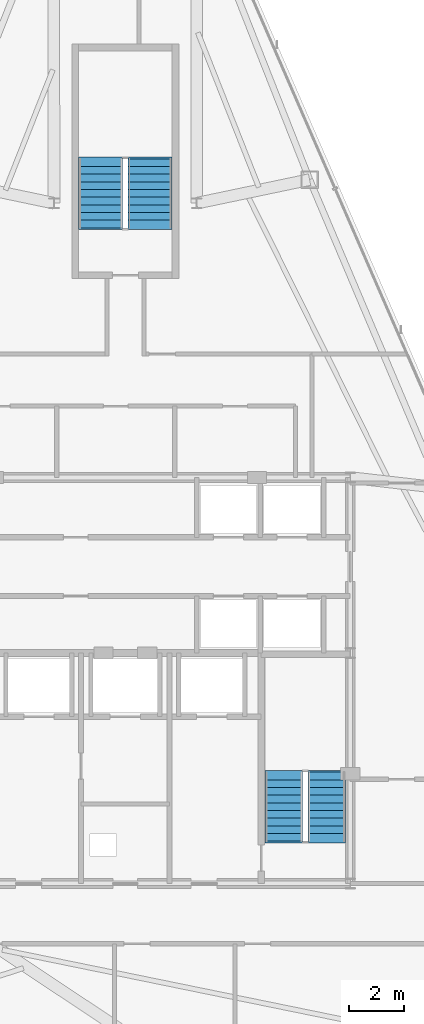
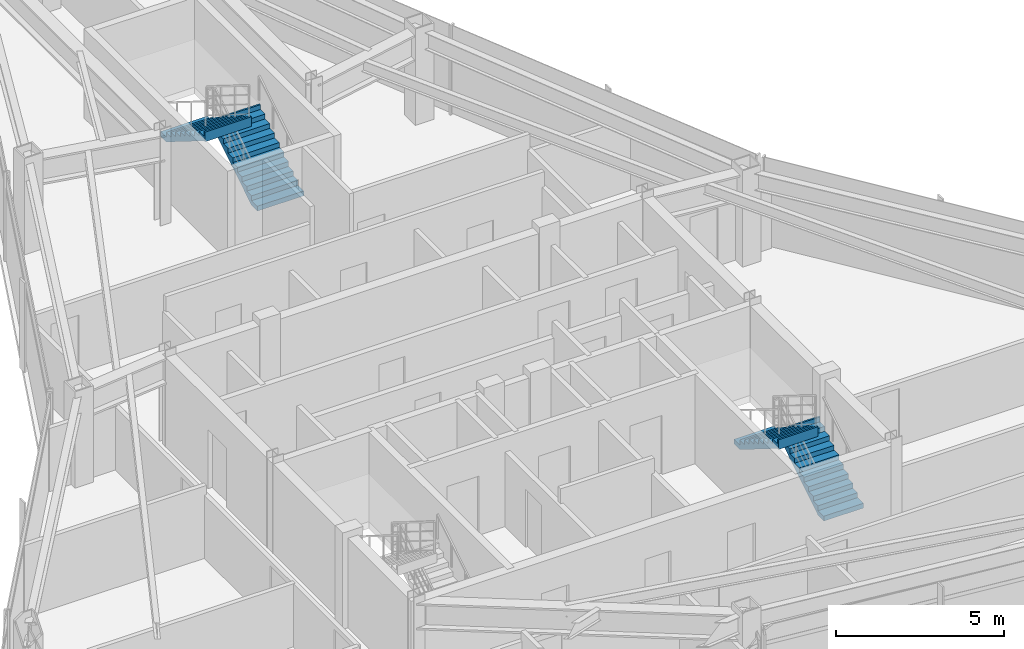
# One storey, part 11 of 12: 4 stair flights, 2 elements without a shape of their own.
"""IFC4 building model written with IfcOpenShell, lengths in metres."""

from ifc_helpers import new_model, si_unit, direction, frame, origin, place, context, subcontext, project, spatial, polyline, outline, extrude, material, type_object, element, aggregate, save


model = new_model("IFC4")

# Units and contexts
model_context = context("Model", 3, precision=1e-05, world=origin(), true_north=direction((0.0, 1.0)))
body_context = subcontext(model_context, "Body", "Model", "MODEL_VIEW")
ifc_project = project(units=[si_unit("LENGTHUNIT", "METRE"), si_unit("AREAUNIT", "SQUARE_METRE"), si_unit("VOLUMEUNIT", "CUBIC_METRE"), si_unit("PLANEANGLEUNIT", "RADIAN"), si_unit("MASSUNIT", "GRAM", prefix="KILO")], contexts=[model_context])

# Site, building, storey
site_placement = place(None, origin())
site = spatial("IfcSite", under=ifc_project, at=site_placement, CompositionType="ELEMENT")
building_placement = place(site_placement, origin())
building = spatial("IfcBuilding", under=site, at=building_placement, Name="Varakhsha Concourse Tower", CompositionType="ELEMENT")
storey_placement = place(building_placement, frame((0.0, 0.0, 276.0)))
storey = spatial("IfcBuildingStorey", under=building, at=storey_placement, Name="L78", CompositionType="ELEMENT", Elevation=276.0)

# Stair, stair flights
ifc_material = material(Name="Concrete fc 45 MPa", Category="concrete")
stair_type_1 = type_object("IfcStairType", Name="ST-DOGLEG-1360", PredefinedType="HALF_TURN_STAIR", material=ifc_material)
stair_1_placement = place(storey_placement, origin())
stair_1 = element("IfcStair", 1, at=stair_1_placement, inside=storey, type_object=stair_type_1, Name="L78 Protected Exit Stair ST2", PredefinedType="HALF_TURN_STAIR")
stair_flight_type_1 = type_object("IfcStairFlightType", Name="STF-1360-R1750", PredefinedType="STRAIGHT", material=ifc_material)
stair_flight_1_placement = place(storey_placement, frame((47.340087890625, 17.93994140625, 0.0), z_axis=(0.0, 0.0, 1.0), x_axis=(0.0, 1.0, 0.0)))
stair_flight_1 = element("IfcStairFlight", 2, at=stair_flight_1_placement, type_object=stair_flight_type_1, Name="ST2 flight 1", NumberOfRisers=10, NumberOfTreads=9, PredefinedType="STRAIGHT", RiserHeight=0.175, TreadLength=0.28, context=body_context, shape_type="SweptSolid", body=[
    extrude(outline(polyline([(-0.06005859375, 0.0), (-0.06005859375, 0.175048828125), (0.0, 0.175048828125), (0.280029296875, 0.175048828125), (0.280029296875, 0.35009765625), (0.56005859375, 0.35009765625), (0.56005859375, 0.52490234375), (0.840087890625, 0.52490234375), (0.840087890625, 0.699951171875), (1.1201171875, 0.699951171875), (1.1201171875, 0.875), (1.39990234375, 0.875), (1.39990234375, 1.050048828125), (1.679931640625, 1.050048828125), (1.679931640625, 1.22509765625), (1.9599609375, 1.22509765625), (1.9599609375, 1.39990234375), (2.239990234375, 1.39990234375), (2.239990234375, 1.574951171875), (2.52001953125, 1.574951171875), (2.52001953125, 1.75), (2.580078125, 1.75), (2.580078125, 1.398193359375), (2.52001953125, 1.398193359375), (0.28271484375, 0.0), (-0.06005859375, 0.0)])), frame((0.0, 0.68017578125, 0.0), z_axis=(0.0, -1.0, 0.0), x_axis=(1.0, 0.0, 0.0)), (0.0, 0.0, 1.0), 1.360107421875),
])
stair_flight_2_placement = place(storey_placement, frame((45.780029296875, 20.4599609375, 1.75), z_axis=(0.0, 0.0, 1.0), x_axis=(0.0, -1.0, 0.0)))
stair_flight_2 = element("IfcStairFlight", 3, at=stair_flight_2_placement, type_object=stair_flight_type_1, Name="ST2 flight 2", NumberOfRisers=10, NumberOfTreads=9, PredefinedType="STRAIGHT", RiserHeight=0.175, TreadLength=0.28, context=body_context, shape_type="SweptSolid", body=[
    extrude(outline(polyline([(-0.06005859375, 0.0), (-0.06005859375, 0.175048828125), (0.0, 0.175048828125), (0.280029296875, 0.175048828125), (0.280029296875, 0.35009765625), (0.56005859375, 0.35009765625), (0.56005859375, 0.52490234375), (0.840087890625, 0.52490234375), (0.840087890625, 0.699951171875), (1.1201171875, 0.699951171875), (1.1201171875, 0.875), (1.39990234375, 0.875), (1.39990234375, 1.050048828125), (1.679931640625, 1.050048828125), (1.679931640625, 1.22509765625), (1.9599609375, 1.22509765625), (1.9599609375, 1.39990234375), (2.239990234375, 1.39990234375), (2.239990234375, 1.574951171875), (2.52001953125, 1.574951171875), (2.52001953125, 1.75), (2.580078125, 1.75), (2.580078125, 1.398193359375), (2.52001953125, 1.398193359375), (0.28271484375, 0.0), (-0.06005859375, 0.0)])), frame((0.0, 0.68017578125, 0.0), z_axis=(0.0, -1.0, 0.0), x_axis=(1.0, 0.0, 0.0)), (0.0, 0.0, 1.0), 1.360107421875),
])
aggregate(stair_1, [stair_flight_1, stair_flight_2])

stair_type_2 = type_object("IfcStairType", Name="ST-DOGLEG-1600", PredefinedType="HALF_TURN_STAIR", material=ifc_material)
stair_2_placement = place(storey_placement, origin())
stair_2 = element("IfcStair", 4, at=stair_2_placement, inside=storey, type_object=stair_type_2, Name="L78 Protected Exit Stair ST5", PredefinedType="HALF_TURN_STAIR")
stair_flight_type_2 = type_object("IfcStairFlightType", Name="STF-1600-R1750", PredefinedType="STRAIGHT", material=ifc_material)
stair_flight_3_placement = place(storey_placement, frame((40.89990234375, 40.300048828125, 0.0), z_axis=(0.0, 0.0, 1.0), x_axis=(0.0, 1.0, 0.0)))
stair_flight_3 = element("IfcStairFlight", 5, at=stair_flight_3_placement, type_object=stair_flight_type_2, Name="ST5 flight 1", NumberOfRisers=10, NumberOfTreads=9, PredefinedType="STRAIGHT", RiserHeight=0.175, TreadLength=0.28, context=body_context, shape_type="SweptSolid", body=[
    extrude(outline(polyline([(-0.06005859375, 0.0), (-0.06005859375, 0.175048828125), (0.0, 0.175048828125), (0.280029296875, 0.175048828125), (0.280029296875, 0.35009765625), (0.56005859375, 0.35009765625), (0.56005859375, 0.52490234375), (0.840087890625, 0.52490234375), (0.840087890625, 0.699951171875), (1.1201171875, 0.699951171875), (1.1201171875, 0.875), (1.39990234375, 0.875), (1.39990234375, 1.050048828125), (1.679931640625, 1.050048828125), (1.679931640625, 1.22509765625), (1.9599609375, 1.22509765625), (1.9599609375, 1.39990234375), (2.239990234375, 1.39990234375), (2.239990234375, 1.574951171875), (2.52001953125, 1.574951171875), (2.52001953125, 1.75), (2.580078125, 1.75), (2.580078125, 1.398193359375), (2.52001953125, 1.398193359375), (0.28271484375, 0.0), (-0.06005859375, 0.0)])), frame((0.0, 0.800048828125, 0.0), z_axis=(0.0, -1.0, 0.0), x_axis=(1.0, 0.0, 0.0)), (0.0, 0.0, 1.0), 1.60009765625),
])
stair_flight_4_placement = place(storey_placement, frame((39.10009765625, 42.820068359375, 1.75), z_axis=(0.0, 0.0, 1.0), x_axis=(0.0, -1.0, 0.0)))
stair_flight_4 = element("IfcStairFlight", 6, at=stair_flight_4_placement, type_object=stair_flight_type_2, Name="ST5 flight 2", NumberOfRisers=10, NumberOfTreads=9, PredefinedType="STRAIGHT", RiserHeight=0.175, TreadLength=0.28, context=body_context, shape_type="SweptSolid", body=[
    extrude(outline(polyline([(-0.06005859375, 0.0), (-0.06005859375, 0.175048828125), (0.0, 0.175048828125), (0.280029296875, 0.175048828125), (0.280029296875, 0.35009765625), (0.56005859375, 0.35009765625), (0.56005859375, 0.52490234375), (0.840087890625, 0.52490234375), (0.840087890625, 0.699951171875), (1.1201171875, 0.699951171875), (1.1201171875, 0.875), (1.39990234375, 0.875), (1.39990234375, 1.050048828125), (1.679931640625, 1.050048828125), (1.679931640625, 1.22509765625), (1.9599609375, 1.22509765625), (1.9599609375, 1.39990234375), (2.239990234375, 1.39990234375), (2.239990234375, 1.574951171875), (2.52001953125, 1.574951171875), (2.52001953125, 1.75), (2.580078125, 1.75), (2.580078125, 1.398193359375), (2.52001953125, 1.398193359375), (0.28271484375, 0.0), (-0.06005859375, 0.0)])), frame((0.0, 0.800048828125, 0.0), z_axis=(0.0, -1.0, 0.0), x_axis=(1.0, 0.0, 0.0)), (0.0, 0.0, 1.0), 1.60009765625),
])
aggregate(stair_2, [stair_flight_3, stair_flight_4])

save(model, "model.ifc")
